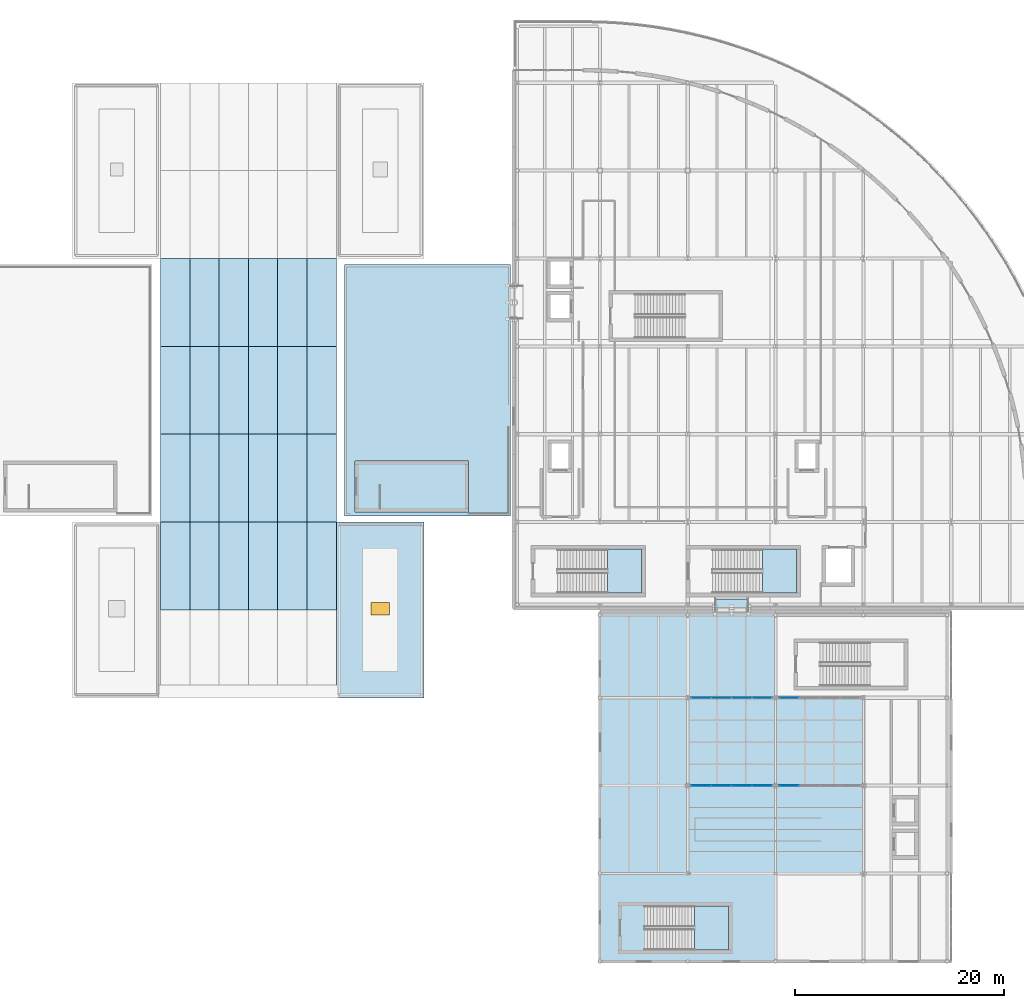
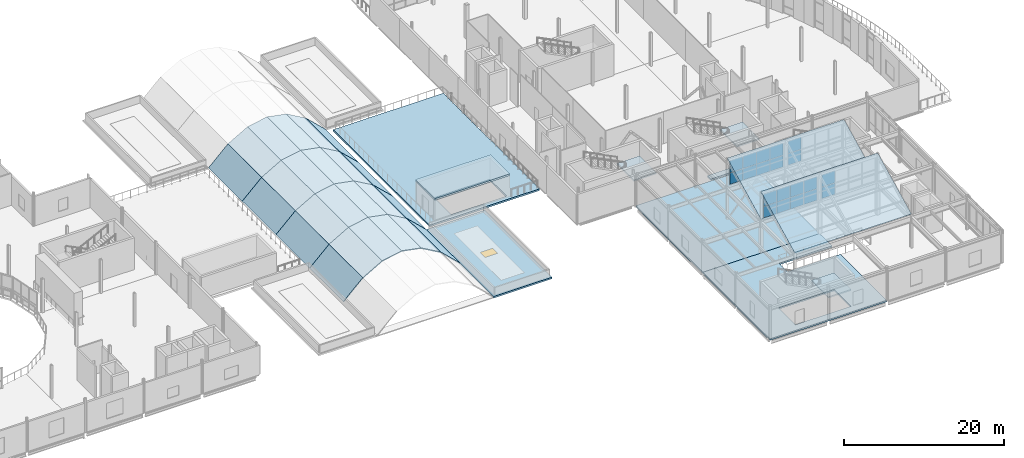
# One storey, part 61 of 91: 35 slabs, 20 plates, 1 window, 1 opening, 7 elements without a shape of their own.
"""IFC4 building model written with IfcOpenShell, lengths in metres."""

from ifc_helpers import new_model, si_unit, direction, frame, origin, origin_2d, place, context, subcontext, project, spatial, polyline, rectangle, outline, extrude, material, layer, layer_set, type_object, element, fill, aggregate, save


model = new_model("IFC4")

# Units and contexts
model_context = context("Model", 3, precision=1e-05, world=origin(), true_north=direction((0.0, 1.0)))
body_context = subcontext(model_context, "Body", "Model", "MODEL_VIEW")
ifc_project = project(units=[si_unit("LENGTHUNIT", "METRE"), si_unit("AREAUNIT", "SQUARE_METRE"), si_unit("VOLUMEUNIT", "CUBIC_METRE"), si_unit("PLANEANGLEUNIT", "RADIAN"), si_unit("MASSUNIT", "GRAM", prefix="KILO"), si_unit("THERMODYNAMICTEMPERATUREUNIT", "KELVIN")], contexts=[model_context])

# Site, building, storey
site_placement = place(None, origin())
site = spatial("IfcSite", under=ifc_project, at=site_placement, CompositionType="ELEMENT")
building_placement = place(site_placement, origin())
building = spatial("IfcBuilding", under=site, at=building_placement, Name="Lustrewick Department Store", CompositionType="ELEMENT")
storey_placement = place(building_placement, frame((0.0, 0.0, 21.60009765625)))
storey = spatial("IfcBuildingStorey", under=building, at=storey_placement, Name="L05", CompositionType="ELEMENT", Elevation=21.60009765625)

# Curtain wall, plates
ifc_material_1 = material(Name="Thermally broken aluminium 6063-T5", Category="aluminium")
ifc_layer_1 = layer(ifc_material_1, 0.139892578125, Name="Thermally broken aluminium 6063-T5")
ifc_layer_set_1 = layer_set([ifc_layer_1], Name="Thermally broken aluminium 6063-T5")
curtain_wall_type = type_object("IfcCurtainWallType", Name="CW15", PredefinedType="NOTDEFINED", material=ifc_layer_set_1)
curtain_wall_1_placement = place(storey_placement, origin())
curtain_wall_1 = element("IfcCurtainWall", 1, at=curtain_wall_1_placement, inside=storey, type_object=curtain_wall_type, Name="L05 North-Light Clerestory CW15", PredefinedType="NOTDEFINED")
ifc_material_2 = material(Name="Low-E triple laminated safety glass", Category="glass")
ifc_layer_2 = layer(ifc_material_2, 0.031982421875, Name="Low-E triple laminated safety glass")
ifc_layer_set_2 = layer_set([ifc_layer_2], Name="Low-E triple laminated safety glass")
plate_type = type_object("IfcPlateType", Name="CP05", PredefinedType="CURTAIN_PANEL", material=ifc_layer_set_2)
plate_1_placement = place(storey_placement, frame((127.288818359375, 33.60009765625, 5.15478515625), z_axis=(0.0, 0.0, 1.0), x_axis=(1.0, 0.0, 0.0)))
plate_1 = element("IfcPlate", 2, at=plate_1_placement, type_object=plate_type, Name="CW15 panel 1.1", PredefinedType="CURTAIN_PANEL", context=body_context, shape_type="SweptSolid", body=[
    extrude(rectangle(XDim=1.867431640625, YDim=0.031982421875, at=origin_2d()), origin(), (0.0, 0.0, 1.0), 1.717529296875),
])
plate_2_placement = place(storey_placement, frame((127.288818359375, 33.60009765625, 6.92724609375), z_axis=(0.0, 0.0, 1.0), x_axis=(1.0, 0.0, 0.0)))
plate_2 = element("IfcPlate", 3, at=plate_2_placement, type_object=plate_type, Name="CW15 panel 1.2", PredefinedType="CURTAIN_PANEL", context=body_context, shape_type="SweptSolid", body=[
    extrude(rectangle(XDim=1.867431640625, YDim=0.031982421875, at=origin_2d()), origin(), (0.0, 0.0, 1.0), 1.867431640625),
])
plate_3_placement = place(storey_placement, frame((129.22509765625, 33.60009765625, 5.15478515625), z_axis=(0.0, 0.0, 1.0), x_axis=(1.0, 0.0, 0.0)))
plate_3 = element("IfcPlate", 4, at=plate_3_placement, type_object=plate_type, Name="CW15 panel 2.1", PredefinedType="CURTAIN_PANEL", context=body_context, shape_type="SweptSolid", body=[
    extrude(rectangle(XDim=1.89501953125, YDim=0.031982421875, at=origin_2d()), origin(), (0.0, 0.0, 1.0), 1.717529296875),
])
plate_4_placement = place(storey_placement, frame((129.22509765625, 33.60009765625, 6.92724609375), z_axis=(0.0, 0.0, 1.0), x_axis=(1.0, 0.0, 0.0)))
plate_4 = element("IfcPlate", 5, at=plate_4_placement, type_object=plate_type, Name="CW15 panel 2.2", PredefinedType="CURTAIN_PANEL", context=body_context, shape_type="SweptSolid", body=[
    extrude(rectangle(XDim=1.89501953125, YDim=0.031982421875, at=origin_2d()), origin(), (0.0, 0.0, 1.0), 1.867431640625),
])
plate_5_placement = place(storey_placement, frame((131.175048828125, 33.60009765625, 5.15478515625), z_axis=(0.0, 0.0, 1.0), x_axis=(1.0, 0.0, 0.0)))
plate_5 = element("IfcPlate", 6, at=plate_5_placement, type_object=plate_type, Name="CW15 panel 3.1", PredefinedType="CURTAIN_PANEL", context=body_context, shape_type="SweptSolid", body=[
    extrude(rectangle(XDim=1.89501953125, YDim=0.031982421875, at=origin_2d()), origin(), (0.0, 0.0, 1.0), 1.717529296875),
])
plate_6_placement = place(storey_placement, frame((131.175048828125, 33.60009765625, 6.92724609375), z_axis=(0.0, 0.0, 1.0), x_axis=(1.0, 0.0, 0.0)))
plate_6 = element("IfcPlate", 7, at=plate_6_placement, type_object=plate_type, Name="CW15 panel 3.2", PredefinedType="CURTAIN_PANEL", context=body_context, shape_type="SweptSolid", body=[
    extrude(rectangle(XDim=1.89501953125, YDim=0.031982421875, at=origin_2d()), origin(), (0.0, 0.0, 1.0), 1.867431640625),
])
plate_7_placement = place(storey_placement, frame((133.111328125, 33.60009765625, 5.15478515625), z_axis=(0.0, 0.0, 1.0), x_axis=(1.0, 0.0, 0.0)))
plate_7 = element("IfcPlate", 8, at=plate_7_placement, type_object=plate_type, Name="CW15 panel 4.1", PredefinedType="CURTAIN_PANEL", context=body_context, shape_type="SweptSolid", body=[
    extrude(rectangle(XDim=1.867431640625, YDim=0.031982421875, at=origin_2d()), origin(), (0.0, 0.0, 1.0), 1.717529296875),
])
plate_8_placement = place(storey_placement, frame((133.111328125, 33.60009765625, 6.92724609375), z_axis=(0.0, 0.0, 1.0), x_axis=(1.0, 0.0, 0.0)))
plate_8 = element("IfcPlate", 9, at=plate_8_placement, type_object=plate_type, Name="CW15 panel 4.2", PredefinedType="CURTAIN_PANEL", context=body_context, shape_type="SweptSolid", body=[
    extrude(rectangle(XDim=1.867431640625, YDim=0.031982421875, at=origin_2d()), origin(), (0.0, 0.0, 1.0), 1.867431640625),
])
aggregate(curtain_wall_1, [plate_1, plate_2, plate_3, plate_4, plate_5, plate_6, plate_7, plate_8])

curtain_wall_2_placement = place(storey_placement, origin())
curtain_wall_2 = element("IfcCurtainWall", 10, at=curtain_wall_2_placement, inside=storey, type_object=curtain_wall_type, Name="L05 North-Light Clerestory CW15", PredefinedType="NOTDEFINED")
plate_9_placement = place(storey_placement, frame((135.688720703125, 33.60009765625, 5.15478515625), z_axis=(0.0, 0.0, 1.0), x_axis=(1.0, 0.0, 0.0)))
plate_9 = element("IfcPlate", 11, at=plate_9_placement, type_object=plate_type, Name="CW15 panel 1.1", PredefinedType="CURTAIN_PANEL", context=body_context, shape_type="SweptSolid", body=[
    extrude(rectangle(XDim=1.867431640625, YDim=0.031982421875, at=origin_2d()), origin(), (0.0, 0.0, 1.0), 1.717529296875),
])
plate_10_placement = place(storey_placement, frame((135.688720703125, 33.60009765625, 6.92724609375), z_axis=(0.0, 0.0, 1.0), x_axis=(1.0, 0.0, 0.0)))
plate_10 = element("IfcPlate", 12, at=plate_10_placement, type_object=plate_type, Name="CW15 panel 1.2", PredefinedType="CURTAIN_PANEL", context=body_context, shape_type="SweptSolid", body=[
    extrude(rectangle(XDim=1.867431640625, YDim=0.031982421875, at=origin_2d()), origin(), (0.0, 0.0, 1.0), 1.867431640625),
])
aggregate(curtain_wall_2, [plate_9, plate_10])

curtain_wall_3_placement = place(storey_placement, origin())
curtain_wall_3 = element("IfcCurtainWall", 13, at=curtain_wall_3_placement, inside=storey, type_object=curtain_wall_type, Name="L05 North-Light Clerestory CW15", PredefinedType="NOTDEFINED")
plate_11_placement = place(storey_placement, frame((127.288818359375, 42.0, 5.15478515625), z_axis=(0.0, 0.0, 1.0), x_axis=(1.0, 0.0, 0.0)))
plate_11 = element("IfcPlate", 14, at=plate_11_placement, type_object=plate_type, Name="CW15 panel 1.1", PredefinedType="CURTAIN_PANEL", context=body_context, shape_type="SweptSolid", body=[
    extrude(rectangle(XDim=1.867431640625, YDim=0.031982421875, at=origin_2d()), origin(), (0.0, 0.0, 1.0), 1.717529296875),
])
plate_12_placement = place(storey_placement, frame((127.288818359375, 42.0, 6.92724609375), z_axis=(0.0, 0.0, 1.0), x_axis=(1.0, 0.0, 0.0)))
plate_12 = element("IfcPlate", 15, at=plate_12_placement, type_object=plate_type, Name="CW15 panel 1.2", PredefinedType="CURTAIN_PANEL", context=body_context, shape_type="SweptSolid", body=[
    extrude(rectangle(XDim=1.867431640625, YDim=0.031982421875, at=origin_2d()), origin(), (0.0, 0.0, 1.0), 1.867431640625),
])
plate_13_placement = place(storey_placement, frame((129.22509765625, 42.0, 5.15478515625), z_axis=(0.0, 0.0, 1.0), x_axis=(1.0, 0.0, 0.0)))
plate_13 = element("IfcPlate", 16, at=plate_13_placement, type_object=plate_type, Name="CW15 panel 2.1", PredefinedType="CURTAIN_PANEL", context=body_context, shape_type="SweptSolid", body=[
    extrude(rectangle(XDim=1.89501953125, YDim=0.031982421875, at=origin_2d()), origin(), (0.0, 0.0, 1.0), 1.717529296875),
])
plate_14_placement = place(storey_placement, frame((129.22509765625, 42.0, 6.92724609375), z_axis=(0.0, 0.0, 1.0), x_axis=(1.0, 0.0, 0.0)))
plate_14 = element("IfcPlate", 17, at=plate_14_placement, type_object=plate_type, Name="CW15 panel 2.2", PredefinedType="CURTAIN_PANEL", context=body_context, shape_type="SweptSolid", body=[
    extrude(rectangle(XDim=1.89501953125, YDim=0.031982421875, at=origin_2d()), origin(), (0.0, 0.0, 1.0), 1.867431640625),
])
plate_15_placement = place(storey_placement, frame((131.175048828125, 42.0, 5.15478515625), z_axis=(0.0, 0.0, 1.0), x_axis=(1.0, 0.0, 0.0)))
plate_15 = element("IfcPlate", 18, at=plate_15_placement, type_object=plate_type, Name="CW15 panel 3.1", PredefinedType="CURTAIN_PANEL", context=body_context, shape_type="SweptSolid", body=[
    extrude(rectangle(XDim=1.89501953125, YDim=0.031982421875, at=origin_2d()), origin(), (0.0, 0.0, 1.0), 1.717529296875),
])
plate_16_placement = place(storey_placement, frame((131.175048828125, 42.0, 6.92724609375), z_axis=(0.0, 0.0, 1.0), x_axis=(1.0, 0.0, 0.0)))
plate_16 = element("IfcPlate", 19, at=plate_16_placement, type_object=plate_type, Name="CW15 panel 3.2", PredefinedType="CURTAIN_PANEL", context=body_context, shape_type="SweptSolid", body=[
    extrude(rectangle(XDim=1.89501953125, YDim=0.031982421875, at=origin_2d()), origin(), (0.0, 0.0, 1.0), 1.867431640625),
])
plate_17_placement = place(storey_placement, frame((133.111328125, 42.0, 5.15478515625), z_axis=(0.0, 0.0, 1.0), x_axis=(1.0, 0.0, 0.0)))
plate_17 = element("IfcPlate", 20, at=plate_17_placement, type_object=plate_type, Name="CW15 panel 4.1", PredefinedType="CURTAIN_PANEL", context=body_context, shape_type="SweptSolid", body=[
    extrude(rectangle(XDim=1.867431640625, YDim=0.031982421875, at=origin_2d()), origin(), (0.0, 0.0, 1.0), 1.717529296875),
])
plate_18_placement = place(storey_placement, frame((133.111328125, 42.0, 6.92724609375), z_axis=(0.0, 0.0, 1.0), x_axis=(1.0, 0.0, 0.0)))
plate_18 = element("IfcPlate", 21, at=plate_18_placement, type_object=plate_type, Name="CW15 panel 4.2", PredefinedType="CURTAIN_PANEL", context=body_context, shape_type="SweptSolid", body=[
    extrude(rectangle(XDim=1.867431640625, YDim=0.031982421875, at=origin_2d()), origin(), (0.0, 0.0, 1.0), 1.867431640625),
])
aggregate(curtain_wall_3, [plate_11, plate_12, plate_13, plate_14, plate_15, plate_16, plate_17, plate_18])

curtain_wall_4_placement = place(storey_placement, origin())
curtain_wall_4 = element("IfcCurtainWall", 22, at=curtain_wall_4_placement, inside=storey, type_object=curtain_wall_type, Name="L05 North-Light Clerestory CW15", PredefinedType="NOTDEFINED")
plate_19_placement = place(storey_placement, frame((135.688720703125, 42.0, 5.15478515625), z_axis=(0.0, 0.0, 1.0), x_axis=(1.0, 0.0, 0.0)))
plate_19 = element("IfcPlate", 23, at=plate_19_placement, type_object=plate_type, Name="CW15 panel 1.1", PredefinedType="CURTAIN_PANEL", context=body_context, shape_type="SweptSolid", body=[
    extrude(rectangle(XDim=1.867431640625, YDim=0.031982421875, at=origin_2d()), origin(), (0.0, 0.0, 1.0), 1.717529296875),
])
plate_20_placement = place(storey_placement, frame((135.688720703125, 42.0, 6.92724609375), z_axis=(0.0, 0.0, 1.0), x_axis=(1.0, 0.0, 0.0)))
plate_20 = element("IfcPlate", 24, at=plate_20_placement, type_object=plate_type, Name="CW15 panel 1.2", PredefinedType="CURTAIN_PANEL", context=body_context, shape_type="SweptSolid", body=[
    extrude(rectangle(XDim=1.867431640625, YDim=0.031982421875, at=origin_2d()), origin(), (0.0, 0.0, 1.0), 1.867431640625),
])
aggregate(curtain_wall_4, [plate_19, plate_20])

# Slabs
ifc_material_3 = material(Name="Concrete C30", Category="concrete")
ifc_layer_3 = layer(ifc_material_3, 0.22998046875, Name="Concrete C30")
ifc_layer_set_3 = layer_set([ifc_layer_3], Name="Concrete C30")
slab_type_1 = type_object("IfcSlabType", Name="FS05", PredefinedType="FLOOR", material=ifc_layer_set_3)
slab_1_placement = place(storey_placement, frame((0.0, 0.0, -0.22998046875)))
element("IfcSlab", 25, at=slab_1_placement, inside=storey, type_object=slab_type_1, Name="L05 V3 Floor Slab FS05", PredefinedType="FLOOR", context=body_context, shape_type="SweptSolid", body=[
    extrude(outline(polyline([(126.800048828125, 28.3701171875), (126.800048828125, 30.429931640625), (126.800048828125, 30.449951171875), (134.39990234375, 30.449951171875), (134.39990234375, 33.52490234375), (117.60009765625, 33.52490234375), (117.60009765625, 16.800048828125), (134.39990234375, 16.800048828125), (134.39990234375, 28.35009765625), (126.800048828125, 28.35009765625), (126.800048828125, 28.3701171875)]), holes=[polyline([(129.89990234375, 17.89990234375), (129.89990234375, 22.10009765625), (121.919921875, 22.10009765625), (121.919921875, 17.89990234375), (129.89990234375, 17.89990234375)])]), origin(), (0.0, 0.0, 1.0), 0.22998046875),
])
slab_2_placement = place(storey_placement, frame((0.0, 0.0, -0.22998046875)))
element("IfcSlab", 26, at=slab_2_placement, inside=storey, type_object=slab_type_1, Name="L05 V3 Floor Slab FS05", PredefinedType="FLOOR", context=body_context, shape_type="SweptSolid", body=[
    extrude(outline(polyline([(117.60009765625, 50.25), (117.60009765625, 33.52490234375), (134.39990234375, 33.52490234375), (134.39990234375, 50.25), (117.60009765625, 50.25)])), origin(), (0.0, 0.0, 1.0), 0.22998046875),
])
ifc_layer_4 = layer(ifc_material_3, 0.215087890625, Name="Concrete C30")
ifc_layer_set_4 = layer_set([ifc_layer_4], Name="Concrete C30")
slab_type_2 = type_object("IfcSlabType", Name="FS10", PredefinedType="FLOOR", material=ifc_layer_set_4)
slab_3_placement = place(storey_placement, frame((0.0, 0.0, -0.215087890625)))
element("IfcSlab", 27, at=slab_3_placement, inside=storey, type_object=slab_type_2, Name="L05 Skybridge SB34 Deck Slab", PredefinedType="FLOOR", context=body_context, shape_type="SweptSolid", body=[
    extrude(outline(polyline([(131.800048828125, 50.554931640625), (131.800048828125, 51.429931640625), (128.60009765625, 51.429931640625), (128.60009765625, 50.554931640625), (131.800048828125, 50.554931640625)])), origin(), (0.0, 0.0, 1.0), 0.215087890625),
])

# Stair, slab
stair_type = type_object("IfcStairType", Name="ST-H51", PredefinedType="HALF_TURN_STAIR", material=ifc_material_3)
stair_1_placement = place(storey_placement, origin())
stair_1 = element("IfcStair", 28, at=stair_1_placement, inside=storey, type_object=stair_type, Name="L05 Smoke-Proof Exit Stair ST07", PredefinedType="HALF_TURN_STAIR")
ifc_layer_5 = layer(ifc_material_3, 0.199951171875, Name="Concrete C30")
ifc_layer_set_5 = layer_set([ifc_layer_5], Name="Concrete C30")
slab_type_3 = type_object("IfcSlabType", Name="LS01", PredefinedType="LANDING", material=ifc_layer_set_5)
slab_4_placement = place(storey_placement, frame((0.0, 0.0, 2.349853515625)))
slab_4 = element("IfcSlab", 29, at=slab_4_placement, type_object=slab_type_3, Name="ST-H51 landing 1", PredefinedType="LANDING", context=body_context, shape_type="SweptSolid", body=[
    extrude(outline(polyline([(126.64990234375, 17.89990234375), (129.89990234375, 17.89990234375), (129.89990234375, 22.10009765625), (126.64990234375, 22.10009765625), (126.64990234375, 17.89990234375)])), origin(), (0.0, 0.0, 1.0), 0.199951171875),
])
aggregate(stair_1, [slab_4])

stair_2_placement = place(storey_placement, origin())
stair_2 = element("IfcStair", 30, at=stair_2_placement, inside=storey, type_object=stair_type, Name="L05 Smoke-Proof Exit Stair ST09", PredefinedType="HALF_TURN_STAIR")
slab_5_placement = place(storey_placement, frame((0.0, 0.0, 2.349853515625)))
slab_5 = element("IfcSlab", 31, at=slab_5_placement, type_object=slab_type_3, Name="ST-H51 landing 1", PredefinedType="LANDING", context=body_context, shape_type="SweptSolid", body=[
    extrude(outline(polyline([(118.35009765625, 52.0), (121.60009765625, 52.0), (121.60009765625, 56.199951171875), (118.35009765625, 56.199951171875), (118.35009765625, 52.0)])), origin(), (0.0, 0.0, 1.0), 0.199951171875),
])
aggregate(stair_2, [slab_5])

stair_3_placement = place(storey_placement, origin())
stair_3 = element("IfcStair", 32, at=stair_3_placement, inside=storey, type_object=stair_type, Name="L05 Smoke-Proof Exit Stair ST11", PredefinedType="HALF_TURN_STAIR")
slab_6_placement = place(storey_placement, frame((0.0, 0.0, 2.349853515625)))
slab_6 = element("IfcSlab", 33, at=slab_6_placement, type_object=slab_type_3, Name="ST-H51 landing 1", PredefinedType="LANDING", context=body_context, shape_type="SweptSolid", body=[
    extrude(outline(polyline([(133.14990234375, 52.0), (136.39990234375, 52.0), (136.39990234375, 56.199951171875), (133.14990234375, 56.199951171875), (133.14990234375, 52.0)])), origin(), (0.0, 0.0, 1.0), 0.199951171875),
])
aggregate(stair_3, [slab_6])

# Slab, opening, window
ifc_material_4 = material(Name="Concrete C35", Category="concrete")
ifc_layer_6 = layer(ifc_material_4, 0.248046875, Name="Concrete C35")
ifc_layer_set_6 = layer_set([ifc_layer_6], Name="Concrete C35")
slab_type_4 = type_object("IfcSlabType", Name="RS01", PredefinedType="ROOF", material=ifc_layer_set_6)
slab_7_placement = place(storey_placement, frame((0.0, 0.0, -0.248046875)))
slab_7 = element("IfcSlab", 34, at=slab_7_placement, inside=storey, type_object=slab_type_4, Name="L05 Flat Insulated Roof V2-SE", PredefinedType="ROOF", context=body_context, shape_type="SweptSolid", body=[
    extrude(outline(polyline([(100.800048828125, 42.0), (100.800048828125, 58.800048828125), (92.39990234375, 58.800048828125), (92.39990234375, 42.0), (100.800048828125, 42.0)])), origin(), (0.0, 0.0, 1.0), 0.248046875),
])
opening_placement = place(slab_7_placement, frame((96.60009765625, 50.5078125, -0.010009765625)))
opening = element("IfcOpeningElement", 35, at=opening_placement, cuts=slab_7, Name="Opening SK04", PredefinedType="OPENING", context=body_context, shape_type="SweptSolid", body=[
    extrude(rectangle(XDim=1.800048828125, YDim=1.199951171875, at=origin_2d()), origin(), (0.0, 0.0, 1.0), 0.26806640625),
])
ifc_material_5 = material(Name="Thermally broken Low-E triple-glazed skylight", Category="glass")
window_type = type_object("IfcWindowType", Name="SK04", PartitioningType="SINGLE_PANEL", PredefinedType="SKYLIGHT", material=ifc_material_5)
window_placement = place(opening_placement, frame((0.0, 0.0, 0.2080078125)))
window = element("IfcWindow", 36, at=window_placement, inside=storey, type_object=window_type, Name="L05 Roof Skylight SK04", OverallHeight=1.199951171875, OverallWidth=1.800048828125, PartitioningType="SINGLE_PANEL", PredefinedType="SKYLIGHT", context=body_context, shape_type="SweptSolid", body=[
    extrude(rectangle(XDim=1.800048828125, YDim=1.199951171875, at=origin_2d()), origin(), (0.0, 0.0, 1.0), 0.050048828125),
])
fill(opening, window)

# Slabs
ifc_layer_7 = layer(ifc_material_4, 0.26806640625, Name="Concrete C35")
ifc_layer_set_7 = layer_set([ifc_layer_7], Name="Concrete C35")
slab_type_5 = type_object("IfcSlabType", Name="RS02", PredefinedType="ROOF", material=ifc_layer_set_7)
slab_8_placement = place(storey_placement, frame((0.0, 0.0, 3.199951171875)))
element("IfcSlab", 37, at=slab_8_placement, inside=storey, type_object=slab_type_5, Name="L05 Stair ST05 Head-House Roof Slab", PredefinedType="ROOF", context=body_context, shape_type="SweptSolid", body=[
    extrude(outline(polyline([(105.02001953125, 59.780029296875), (105.02001953125, 64.6201171875), (94.179931640625, 64.6201171875), (94.179931640625, 59.780029296875), (105.02001953125, 59.780029296875)])), origin(), (0.0, 0.0, 1.0), 0.26806640625),
])
ifc_material_6 = material(Name="Low-E laminated safety glass", Category="glass")
ifc_layer_8 = layer(ifc_material_6, 0.1298828125, Name="Low-E laminated safety glass")
ifc_layer_set_8 = layer_set([ifc_layer_8], Name="Low-E laminated safety glass")
slab_type_6 = type_object("IfcSlabType", Name="RS04", PredefinedType="ROOF", material=ifc_layer_set_8)
slab_9_placement = place(storey_placement, frame((75.60009765625, 50.39990234375, 0.0), z_axis=(-0.689658325851, 0.0, 0.724134927748), x_axis=(0.724134927748, 0.0, 0.689658325851)))
element("IfcSlab", 38, at=slab_9_placement, inside=storey, type_object=slab_type_6, Name="V2 Verriere Barrel Roof Facet 2.1", PredefinedType="ROOF", context=body_context, shape_type="SweptSolid", body=[
    extrude(outline(polyline([(0.0, 0.0), (3.866412984950454, 0.0), (3.866412984950454, 8.400146484375), (0.0, 8.400146484375), (0.0, 0.0)])), origin(), (0.0, 0.0, -1.0), 0.1298828125),
])
slab_10_placement = place(storey_placement, frame((78.39990234375, 50.39990234375, 2.66650390625), z_axis=(-0.496155243458, 0.0, 0.868233824721), x_axis=(0.868233824721, 0.0, 0.496155243458)))
element("IfcSlab", 39, at=slab_10_placement, inside=storey, type_object=slab_type_6, Name="V2 Verriere Barrel Roof Facet 2.2", PredefinedType="ROOF", context=body_context, shape_type="SweptSolid", body=[
    extrude(outline(polyline([(0.0, 0.0), (3.224993945640973, 0.0), (3.224993945640973, 8.400146484375), (0.0, 8.400146484375), (0.0, 0.0)])), origin(), (0.0, 0.0, -1.0), 0.1298828125),
])
for number, where, z_axis, x_axis, name in (
    (40, (81.199951171875, 50.39990234375, 4.2666015625), (-0.18706487702, 0.0, 0.982347561602), (0.982347561602, 0.0, 0.18706487702), "V2 Verriere Barrel Roof Facet 2.3"),
    (41, (84.0, 50.39990234375, 4.7998046875), (0.18706487702, 0.0, 0.982347561602), (0.982347561602, 0.0, -0.18706487702), "V2 Verriere Barrel Roof Facet 2.4"),
):
    element("IfcSlab", number, at=place(storey_placement, frame(where, z_axis=z_axis, x_axis=x_axis)), inside=storey, type_object=slab_type_6, Name=name, PredefinedType="ROOF", context=body_context, shape_type="SweptSolid", body=[
        extrude(outline(polyline([(0.0, 0.0), (2.8503647156800747, 0.0), (2.8503647156800747, 8.400146484375002), (0.0, 8.400146484375002), (0.0, 0.0)])), origin(), (0.0, 0.0, -1.0), 0.1298828125),
    ])
slab_11_placement = place(storey_placement, frame((86.800048828125, 50.39990234375, 4.2666015625), z_axis=(0.496155243458, 0.0, 0.868233824721), x_axis=(0.868233824721, 0.0, -0.496155243458)))
element("IfcSlab", 42, at=slab_11_placement, inside=storey, type_object=slab_type_6, Name="V2 Verriere Barrel Roof Facet 2.5", PredefinedType="ROOF", context=body_context, shape_type="SweptSolid", body=[
    extrude(outline(polyline([(0.0, 0.0), (3.224993945640973, 0.0), (3.224993945640973, 8.400146484375), (0.0, 8.400146484375), (0.0, 0.0)])), origin(), (0.0, 0.0, -1.0), 0.1298828125),
])
slab_12_placement = place(storey_placement, frame((89.60009765625, 50.39990234375, 2.66650390625), z_axis=(0.689658325851, 0.0, 0.724134927748), x_axis=(0.724134927748, 0.0, -0.689658325851)))
element("IfcSlab", 43, at=slab_12_placement, inside=storey, type_object=slab_type_6, Name="V2 Verriere Barrel Roof Facet 2.6", PredefinedType="ROOF", context=body_context, shape_type="SweptSolid", body=[
    extrude(outline(polyline([(0.0, 0.0), (3.866412984950454, 0.0), (3.866412984950454, 8.400146484375), (0.0, 8.400146484375), (0.0, 0.0)])), origin(), (0.0, 0.0, -1.0), 0.1298828125),
])
slab_13_placement = place(storey_placement, frame((75.60009765625, 58.800048828125, 0.0), z_axis=(-0.689658325851, 0.0, 0.724134927748), x_axis=(0.724134927748, 0.0, 0.689658325851)))
element("IfcSlab", 44, at=slab_13_placement, inside=storey, type_object=slab_type_6, Name="V2 Verriere Barrel Roof Facet 3.1", PredefinedType="ROOF", context=body_context, shape_type="SweptSolid", body=[
    extrude(outline(polyline([(0.0, 0.0), (3.866412984950454, 0.0), (3.866412984950454, 8.399902343750002), (0.0, 8.399902343750002), (0.0, 0.0)])), origin(), (0.0, 0.0, -1.0), 0.1298828125),
])
slab_14_placement = place(storey_placement, frame((78.39990234375, 58.800048828125, 2.66650390625), z_axis=(-0.496155243458, 0.0, 0.868233824721), x_axis=(0.868233824721, 0.0, 0.496155243458)))
element("IfcSlab", 45, at=slab_14_placement, inside=storey, type_object=slab_type_6, Name="V2 Verriere Barrel Roof Facet 3.2", PredefinedType="ROOF", context=body_context, shape_type="SweptSolid", body=[
    extrude(outline(polyline([(0.0, 0.0), (3.224993945640973, 0.0), (3.224993945640973, 8.39990234375), (0.0, 8.39990234375), (0.0, 0.0)])), origin(), (0.0, 0.0, -1.0), 0.1298828125),
])
for number, where, z_axis, x_axis, name in (
    (46, (81.199951171875, 58.800048828125, 4.2666015625), (-0.18706487702, 0.0, 0.982347561602), (0.982347561602, 0.0, 0.18706487702), "V2 Verriere Barrel Roof Facet 3.3"),
    (47, (84.0, 58.800048828125, 4.7998046875), (0.18706487702, 0.0, 0.982347561602), (0.982347561602, 0.0, -0.18706487702), "V2 Verriere Barrel Roof Facet 3.4"),
):
    element("IfcSlab", number, at=place(storey_placement, frame(where, z_axis=z_axis, x_axis=x_axis)), inside=storey, type_object=slab_type_6, Name=name, PredefinedType="ROOF", context=body_context, shape_type="SweptSolid", body=[
        extrude(outline(polyline([(0.0, 0.0), (2.8503647156800747, 0.0), (2.8503647156800747, 8.399902343750002), (0.0, 8.399902343750002), (0.0, 0.0)])), origin(), (0.0, 0.0, -1.0), 0.1298828125),
    ])
slab_15_placement = place(storey_placement, frame((86.800048828125, 58.800048828125, 4.2666015625), z_axis=(0.496155243458, 0.0, 0.868233824721), x_axis=(0.868233824721, 0.0, -0.496155243458)))
element("IfcSlab", 48, at=slab_15_placement, inside=storey, type_object=slab_type_6, Name="V2 Verriere Barrel Roof Facet 3.5", PredefinedType="ROOF", context=body_context, shape_type="SweptSolid", body=[
    extrude(outline(polyline([(0.0, 0.0), (3.224993945640973, 0.0), (3.224993945640973, 8.39990234375), (0.0, 8.39990234375), (0.0, 0.0)])), origin(), (0.0, 0.0, -1.0), 0.1298828125),
])
slab_16_placement = place(storey_placement, frame((89.60009765625, 58.800048828125, 2.66650390625), z_axis=(0.689658325851, 0.0, 0.724134927748), x_axis=(0.724134927748, 0.0, -0.689658325851)))
element("IfcSlab", 49, at=slab_16_placement, inside=storey, type_object=slab_type_6, Name="V2 Verriere Barrel Roof Facet 3.6", PredefinedType="ROOF", context=body_context, shape_type="SweptSolid", body=[
    extrude(outline(polyline([(0.0, 0.0), (3.866412984950454, 0.0), (3.866412984950454, 8.399902343750002), (0.0, 8.399902343750002), (0.0, 0.0)])), origin(), (0.0, 0.0, -1.0), 0.1298828125),
])
slab_17_placement = place(storey_placement, frame((75.60009765625, 67.199951171875, 0.0), z_axis=(-0.689658325851, 0.0, 0.724134927748), x_axis=(0.724134927748, 0.0, 0.689658325851)))
element("IfcSlab", 50, at=slab_17_placement, inside=storey, type_object=slab_type_6, Name="V2 Verriere Barrel Roof Facet 4.1", PredefinedType="ROOF", context=body_context, shape_type="SweptSolid", body=[
    extrude(outline(polyline([(0.0, 0.0), (3.866412984950454, 0.0), (3.866412984950454, 8.400146484375), (0.0, 8.400146484375), (0.0, 0.0)])), origin(), (0.0, 0.0, -1.0), 0.1298828125),
])
slab_18_placement = place(storey_placement, frame((78.39990234375, 67.199951171875, 2.66650390625), z_axis=(-0.496155243458, 0.0, 0.868233824721), x_axis=(0.868233824721, 0.0, 0.496155243458)))
element("IfcSlab", 51, at=slab_18_placement, inside=storey, type_object=slab_type_6, Name="V2 Verriere Barrel Roof Facet 4.2", PredefinedType="ROOF", context=body_context, shape_type="SweptSolid", body=[
    extrude(outline(polyline([(0.0, 0.0), (3.224993945640973, 0.0), (3.224993945640973, 8.400146484375), (0.0, 8.400146484375), (0.0, 0.0)])), origin(), (0.0, 0.0, -1.0), 0.1298828125),
])
for number, where, z_axis, x_axis, name in (
    (52, (81.199951171875, 67.199951171875, 4.2666015625), (-0.18706487702, 0.0, 0.982347561602), (0.982347561602, 0.0, 0.18706487702), "V2 Verriere Barrel Roof Facet 4.3"),
    (53, (84.0, 67.199951171875, 4.7998046875), (0.18706487702, 0.0, 0.982347561602), (0.982347561602, 0.0, -0.18706487702), "V2 Verriere Barrel Roof Facet 4.4"),
):
    element("IfcSlab", number, at=place(storey_placement, frame(where, z_axis=z_axis, x_axis=x_axis)), inside=storey, type_object=slab_type_6, Name=name, PredefinedType="ROOF", context=body_context, shape_type="SweptSolid", body=[
        extrude(outline(polyline([(0.0, 0.0), (2.8503647156800747, 0.0), (2.8503647156800747, 8.400146484375002), (0.0, 8.400146484375002), (0.0, 0.0)])), origin(), (0.0, 0.0, -1.0), 0.1298828125),
    ])
slab_19_placement = place(storey_placement, frame((86.800048828125, 67.199951171875, 4.2666015625), z_axis=(0.496155243458, 0.0, 0.868233824721), x_axis=(0.868233824721, 0.0, -0.496155243458)))
element("IfcSlab", 54, at=slab_19_placement, inside=storey, type_object=slab_type_6, Name="V2 Verriere Barrel Roof Facet 4.5", PredefinedType="ROOF", context=body_context, shape_type="SweptSolid", body=[
    extrude(outline(polyline([(0.0, 0.0), (3.224993945640973, 0.0), (3.224993945640973, 8.400146484375), (0.0, 8.400146484375), (0.0, 0.0)])), origin(), (0.0, 0.0, -1.0), 0.1298828125),
])
slab_20_placement = place(storey_placement, frame((89.60009765625, 67.199951171875, 2.66650390625), z_axis=(0.689658325851, 0.0, 0.724134927748), x_axis=(0.724134927748, 0.0, -0.689658325851)))
element("IfcSlab", 55, at=slab_20_placement, inside=storey, type_object=slab_type_6, Name="V2 Verriere Barrel Roof Facet 4.6", PredefinedType="ROOF", context=body_context, shape_type="SweptSolid", body=[
    extrude(outline(polyline([(0.0, 0.0), (3.866412984950454, 0.0), (3.866412984950454, 8.400146484375), (0.0, 8.400146484375), (0.0, 0.0)])), origin(), (0.0, 0.0, -1.0), 0.1298828125),
])
slab_21_placement = place(storey_placement, frame((75.60009765625, 75.60009765625, 0.0), z_axis=(-0.689658325851, 0.0, 0.724134927748), x_axis=(0.724134927748, 0.0, 0.689658325851)))
element("IfcSlab", 56, at=slab_21_placement, inside=storey, type_object=slab_type_6, Name="V2 Verriere Barrel Roof Facet 5.1", PredefinedType="ROOF", context=body_context, shape_type="SweptSolid", body=[
    extrude(outline(polyline([(0.0, 0.0), (3.866412984950454, 0.0), (3.866412984950454, 8.399902343750002), (0.0, 8.399902343750002), (0.0, 0.0)])), origin(), (0.0, 0.0, -1.0), 0.1298828125),
])
slab_22_placement = place(storey_placement, frame((78.39990234375, 75.60009765625, 2.66650390625), z_axis=(-0.496155243458, 0.0, 0.868233824721), x_axis=(0.868233824721, 0.0, 0.496155243458)))
element("IfcSlab", 57, at=slab_22_placement, inside=storey, type_object=slab_type_6, Name="V2 Verriere Barrel Roof Facet 5.2", PredefinedType="ROOF", context=body_context, shape_type="SweptSolid", body=[
    extrude(outline(polyline([(0.0, 0.0), (3.224993945640973, 0.0), (3.224993945640973, 8.39990234375), (0.0, 8.39990234375), (0.0, 0.0)])), origin(), (0.0, 0.0, -1.0), 0.1298828125),
])
for number, where, z_axis, x_axis, name in (
    (58, (81.199951171875, 75.60009765625, 4.2666015625), (-0.18706487702, 0.0, 0.982347561602), (0.982347561602, 0.0, 0.18706487702), "V2 Verriere Barrel Roof Facet 5.3"),
    (59, (84.0, 75.60009765625, 4.7998046875), (0.18706487702, 0.0, 0.982347561602), (0.982347561602, 0.0, -0.18706487702), "V2 Verriere Barrel Roof Facet 5.4"),
):
    element("IfcSlab", number, at=place(storey_placement, frame(where, z_axis=z_axis, x_axis=x_axis)), inside=storey, type_object=slab_type_6, Name=name, PredefinedType="ROOF", context=body_context, shape_type="SweptSolid", body=[
        extrude(outline(polyline([(0.0, 0.0), (2.8503647156800747, 0.0), (2.8503647156800747, 8.399902343750002), (0.0, 8.399902343750002), (0.0, 0.0)])), origin(), (0.0, 0.0, -1.0), 0.1298828125),
    ])
slab_23_placement = place(storey_placement, frame((86.800048828125, 75.60009765625, 4.2666015625), z_axis=(0.496155243458, 0.0, 0.868233824721), x_axis=(0.868233824721, 0.0, -0.496155243458)))
element("IfcSlab", 60, at=slab_23_placement, inside=storey, type_object=slab_type_6, Name="V2 Verriere Barrel Roof Facet 5.5", PredefinedType="ROOF", context=body_context, shape_type="SweptSolid", body=[
    extrude(outline(polyline([(0.0, 0.0), (3.224993945640973, 0.0), (3.224993945640973, 8.39990234375), (0.0, 8.39990234375), (0.0, 0.0)])), origin(), (0.0, 0.0, -1.0), 0.1298828125),
])
slab_24_placement = place(storey_placement, frame((89.60009765625, 75.60009765625, 2.66650390625), z_axis=(0.689658325851, 0.0, 0.724134927748), x_axis=(0.724134927748, 0.0, -0.689658325851)))
element("IfcSlab", 61, at=slab_24_placement, inside=storey, type_object=slab_type_6, Name="V2 Verriere Barrel Roof Facet 5.6", PredefinedType="ROOF", context=body_context, shape_type="SweptSolid", body=[
    extrude(outline(polyline([(0.0, 0.0), (3.866412984950454, 0.0), (3.866412984950454, 8.399902343750002), (0.0, 8.399902343750002), (0.0, 0.0)])), origin(), (0.0, 0.0, -1.0), 0.1298828125),
])
ifc_layer_9 = layer(ifc_material_3, 0.110107421875, Name="Concrete C30")
ifc_layer_set_9 = layer_set([ifc_layer_9], Name="Concrete C30")
slab_type_7 = type_object("IfcSlabType", Name="RS05", PredefinedType="ROOF", material=ifc_layer_set_9)
slab_25_placement = place(storey_placement, frame((126.0, 25.199951171875, 5.099853515625), z_axis=(0.0, -0.447203197209, 0.89443239007), x_axis=(1.0, 0.0, 0.0)))
element("IfcSlab", 62, at=slab_25_placement, inside=storey, type_object=slab_type_7, Name="V3 North-Light Sloped Roof Slab 1", PredefinedType="ROOF", context=body_context, shape_type="SweptSolid", body=[
    extrude(outline(polyline([(0.0, 0.0), (16.800048828125, 0.0), (16.800048828125, 9.39159468914049), (0.0, 9.39159468914049), (0.0, 0.0)])), origin(), (0.0, 0.0, -1.0), 0.110107421875),
])
slab_26_placement = place(storey_placement, frame((126.0, 33.60009765625, 5.099853515625), z_axis=(0.0, -0.4472135955, 0.894427191), x_axis=(1.0, 0.0, 0.0)))
element("IfcSlab", 63, at=slab_26_placement, inside=storey, type_object=slab_type_7, Name="V3 North-Light Sloped Roof Slab 2", PredefinedType="ROOF", context=body_context, shape_type="SweptSolid", body=[
    extrude(outline(polyline([(0.0, 0.0), (16.800048828125, 0.0), (16.800048828125, 9.391376322492404), (0.0, 9.391376322492404), (0.0, 0.0)])), origin(), (0.0, 0.0, -1.0), 0.110107421875),
])
ifc_layer_10 = layer(ifc_material_4, 0.2548828125, Name="Concrete C35")
ifc_layer_set_10 = layer_set([ifc_layer_10], Name="Concrete C35")
slab_type_8 = type_object("IfcSlabType", Name="TS02", PredefinedType="FLOOR", material=ifc_layer_set_10)
slab_27_placement = place(storey_placement, frame((0.0, 0.0, -0.255126953125)))
element("IfcSlab", 64, at=slab_27_placement, inside=storey, type_object=slab_type_8, Name="L05 V2_REF_E Fire Refuge Deck TS02", PredefinedType="FLOOR", context=body_context, shape_type="SweptSolid", body=[
    extrude(outline(polyline([(109.050048828125, 59.39990234375), (109.050048828125, 83.39990234375), (93.199951171875, 83.39990234375), (93.199951171875, 59.39990234375), (109.050048828125, 59.39990234375)]), holes=[polyline([(104.699951171875, 60.10009765625), (96.719970703125, 60.10009765625), (96.719970703125, 64.300048828125), (104.699951171875, 64.300048828125), (104.699951171875, 60.10009765625)])]), origin(), (0.0, 0.0, 1.0), 0.255126953125),
])

save(model, "model.ifc")
